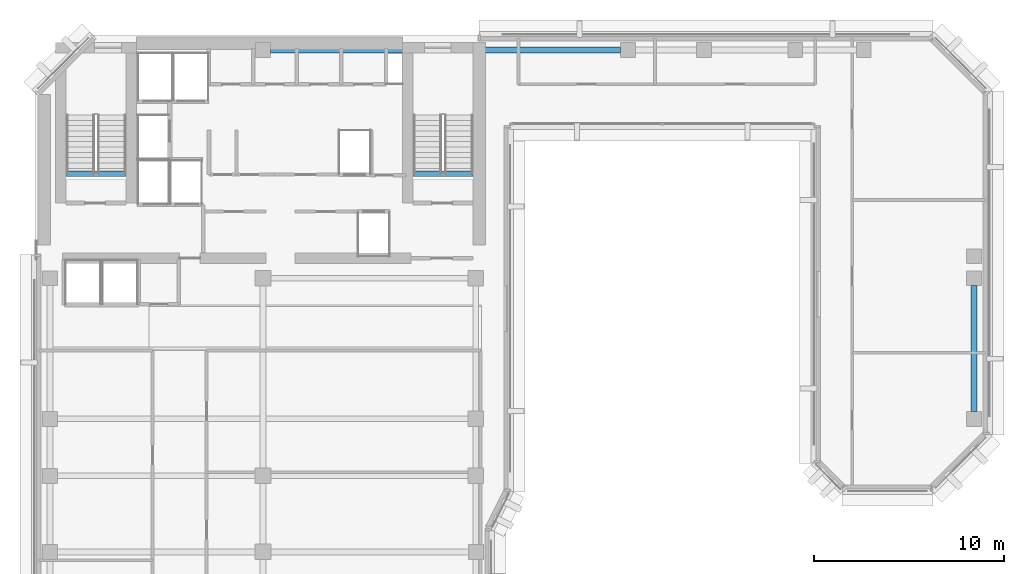
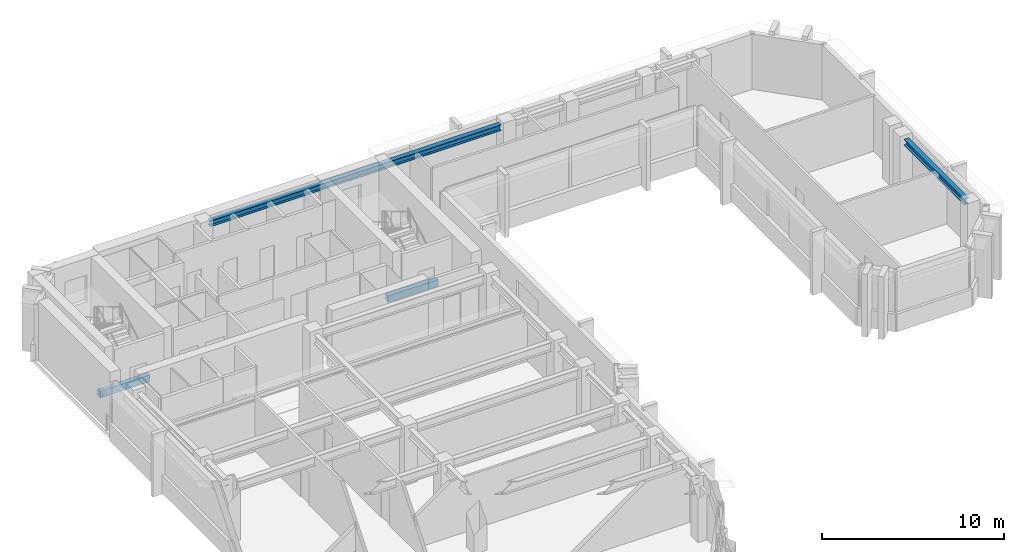
# One storey, part 3 of 11: 4 beams.
"""IFC4 building model written with IfcOpenShell, lengths in metres."""

from ifc_helpers import new_model, si_unit, direction, frame, origin, origin_2d, place, context, subcontext, project, spatial, rectangle, i_section, extrude, material, material_profile, profile_set, type_object, element, save


model = new_model("IFC4")

# Units and contexts
model_context = context("Model", 3, precision=1e-05, world=origin(), true_north=direction((0.0, 1.0)))
body_context = subcontext(model_context, "Body", "Model", "MODEL_VIEW")
ifc_project = project(units=[si_unit("LENGTHUNIT", "METRE"), si_unit("AREAUNIT", "SQUARE_METRE"), si_unit("VOLUMEUNIT", "CUBIC_METRE"), si_unit("PLANEANGLEUNIT", "RADIAN"), si_unit("MASSUNIT", "GRAM", prefix="KILO")], contexts=[model_context])

# Site, building, storey
site_placement = place(None, origin())
site = spatial("IfcSite", under=ifc_project, at=site_placement, CompositionType="ELEMENT")
building_placement = place(site_placement, origin())
building = spatial("IfcBuilding", under=site, at=building_placement, Name="Kefirva Bronze Tower", CompositionType="ELEMENT")
storey_placement = place(building_placement, frame((0.0, 0.0, 243.5400390625)))
storey = spatial("IfcBuildingStorey", under=building, at=storey_placement, Name="L59", CompositionType="ELEMENT", Elevation=243.5400390625)

# Beams
ifc_material_1 = material(Name="Concrete C50/60", Category="concrete")
ifc_material_profile_1 = material_profile(ifc_material_1, rectangle(XDim=0.300048828125, YDim=0.449951171875, at=origin_2d()), Name="RC 300x450")
ifc_profile_set_1 = profile_set([ifc_material_profile_1], Name="Concrete C50/60")
beam_type_1 = type_object("IfcBeamType", Name="RC Stair Trimmer Beam 300x450", PredefinedType="BEAM", material=ifc_profile_set_1)
beam_1_placement = place(storey_placement, frame((1.64501953125, 38.699951171875, -0.22509765625), z_axis=(1.0, 0.0, 0.0), x_axis=(0.0, 1.0, 0.0)))
element("IfcBeam", 1, at=beam_1_placement, inside=storey, type_object=beam_type_1, Name="L59 Stair 1 Landing Trimmer Beam", PredefinedType="BEAM", context=body_context, shape_type="SweptSolid", body=[
    extrude(rectangle(XDim=0.300048828125, YDim=0.449951171875, at=origin_2d()), origin(), (0.0, 0.0, 1.0), 3.14990234375),
])
beam_2_placement = place(storey_placement, frame((19.89501953125, 38.699951171875, -0.22509765625), z_axis=(1.0, 0.0, 0.0), x_axis=(0.0, 1.0, 0.0)))
element("IfcBeam", 2, at=beam_2_placement, inside=storey, type_object=beam_type_1, Name="L59 Stair 2 Landing Trimmer Beam", PredefinedType="BEAM", context=body_context, shape_type="SweptSolid", body=[
    extrude(rectangle(XDim=0.300048828125, YDim=0.449951171875, at=origin_2d()), origin(), (0.0, 0.0, 1.0), 3.159912109375),
])
ifc_material_2 = material(Name="Steel S355", Category="steel")
ifc_material_profile_2 = material_profile(ifc_material_2, i_section(OverallWidth=0.300048828125, OverallDepth=0.39990234375, WebThickness=0.013427734375, FlangeThickness=0.02392578125, at=origin_2d()), Name="HEB 400")
ifc_profile_set_2 = profile_set([ifc_material_profile_2], Name="Steel S355")
beam_type_2 = type_object("IfcBeamType", Name="Steel Spandrel HEB 400 Ext", PredefinedType="SPANDREL", material=ifc_profile_set_2)
beam_3_placement = place(storey_placement, frame((12.389892578125, 45.199951171875, 3.510009765625), z_axis=(1.0, 0.0, 0.0), x_axis=(0.0, 1.0, 0.0)))
element("IfcBeam", 3, at=beam_3_placement, inside=storey, type_object=beam_type_2, Name="L59 BM-L59-EW-12-452", PredefinedType="SPANDREL", context=body_context, shape_type="SweptSolid", body=[
    extrude(i_section(OverallWidth=0.300048828125, OverallDepth=0.39990234375, WebThickness=0.013427734375, FlangeThickness=0.02392578125, at=origin_2d()), origin(), (0.0, 0.0, 1.0), 18.420166015625),
])
beam_4_placement = place(storey_placement, frame((49.39990234375, 26.18994140625, 3.510009765625), z_axis=(0.0, 1.0, 0.0), x_axis=(-1.0, 0.0, 0.0)))
element("IfcBeam", 4, at=beam_4_placement, inside=storey, type_object=beam_type_2, Name="L59 BM-L59-NS-494-25", PredefinedType="SPANDREL", context=body_context, shape_type="SweptSolid", body=[
    extrude(i_section(OverallWidth=0.300048828125, OverallDepth=0.39990234375, WebThickness=0.013427734375, FlangeThickness=0.02392578125, at=origin_2d()), origin(), (0.0, 0.0, 1.0), 6.6201171875),
])

save(model, "model.ifc")
